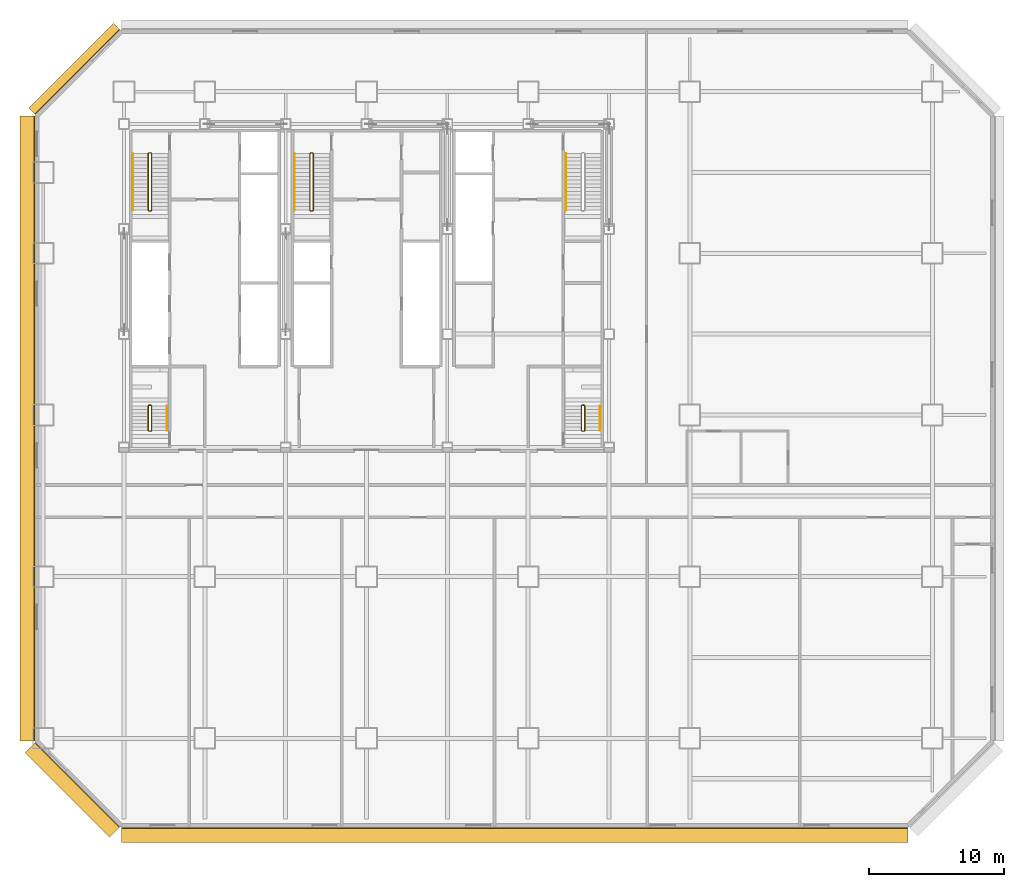
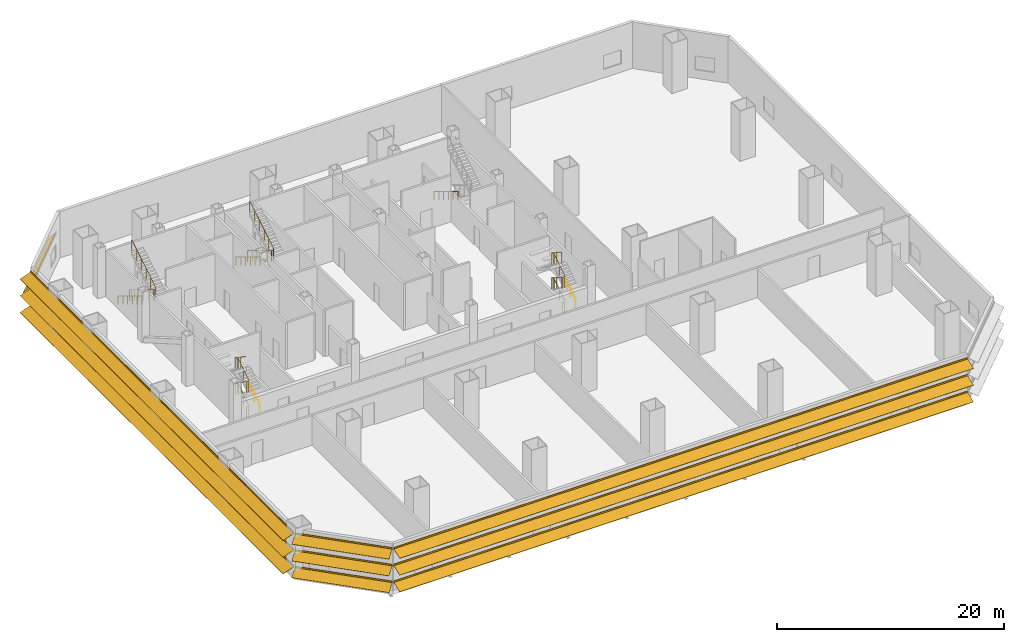
# One storey, part 9 of 10: 11 railings, 4 shading devices.
"""IFC4 building model written with IfcOpenShell, lengths in metres."""

from ifc_helpers import new_model, si_unit, direction, frame, origin, origin_2d, place, context, subcontext, project, spatial, polyline, circle, outline, composite_profile, extrude, material, type_object, element, save


model = new_model("IFC4")

# Units and contexts
model_context = context("Model", 3, precision=1e-05, world=origin(), true_north=direction((0.0, 1.0)))
body_context = subcontext(model_context, "Body", "Model", "MODEL_VIEW")
ifc_project = project(units=[si_unit("LENGTHUNIT", "METRE"), si_unit("AREAUNIT", "SQUARE_METRE"), si_unit("VOLUMEUNIT", "CUBIC_METRE"), si_unit("PLANEANGLEUNIT", "RADIAN"), si_unit("MASSUNIT", "GRAM", prefix="KILO")], contexts=[model_context])

# Site, building, storey
site_placement = place(None, origin())
site = spatial("IfcSite", under=ifc_project, at=site_placement, CompositionType="ELEMENT")
building_placement = place(site_placement, origin())
building = spatial("IfcBuilding", under=site, at=building_placement, Name="Sorahane Residences", CompositionType="ELEMENT")
storey_placement = place(building_placement, frame((0.0, 0.0, 15.0)))
storey = spatial("IfcBuildingStorey", under=building, at=storey_placement, Name="L01", CompositionType="ELEMENT", Elevation=15.0)

# Shading devices
ifc_material_1 = material(Name="Terracotta anodised aluminium", Category="masonry")
shading_device_type_1 = type_object("IfcShadingDeviceType", Name="Louvre sunshade blade NW terracotta aluminium 700", PredefinedType="JALOUSIE", material=ifc_material_1)
shading_device_1_placement = place(storey_placement, frame((5.716064453125, 52.564697265625, 2.699951171875), z_axis=(-0.707106781187, -0.707106781187, 0.0), x_axis=(0.707106781187, -0.707106781187, 0.0)))
element("IfcShadingDevice", 1, at=shading_device_1_placement, inside=storey, type_object=shading_device_type_1, Name="Louvre sunshade blade bank NW L01 NW1", PredefinedType="JALOUSIE", context=body_context, shape_type="SweptSolid", body=[
    extrude(outline(polyline([(-0.719970703125, -0.660888671875), (-0.719970703125, -0.69091796875), (-0.080078125, -0.072998046875), (-0.080078125, -0.14990234375), (-0.02001953125, -0.14990234375), (-0.02001953125, -0.014892578125), (-0.02001953125, 0.014892578125), (-0.02001953125, 0.14990234375), (-0.080078125, 0.14990234375), (-0.080078125, -0.04296875), (-0.719970703125, -0.660888671875)])), origin(), (0.0, 0.0, 1.0), 8.88232421875),
])
ifc_material_2 = material(Name="Terracotta anodised aluminium", Category="masonry")
shading_device_type_2 = type_object("IfcShadingDeviceType", Name="Louvre sunshade blade S terracotta aluminium 1100", PredefinedType="JALOUSIE", material=ifc_material_2)
shading_device_2_placement = place(storey_placement, frame((5.801513671875, -6.60009765625, 0.89990234375), z_axis=(1.0, 0.0, 0.0), x_axis=(0.0, 1.0, 0.0)))
element("IfcShadingDevice", 2, at=shading_device_2_placement, inside=storey, type_object=shading_device_type_2, Name="Louvre sunshade blade bank S L01 S1", PredefinedType="JALOUSIE", context=body_context, shape_type="SweptSolid", body=[
    extrude(composite_profile([outline(polyline([(-1.1201171875, -0.385498046875), (-1.1201171875, -0.415283203125), (-0.080078125, -0.036865234375), (-0.080078125, -0.14990234375), (-0.02001953125, -0.14990234375), (-0.02001953125, -0.014892578125), (-0.02001953125, 0.014892578125), (-0.02001953125, 0.14990234375), (-0.080078125, 0.14990234375), (-0.080078125, -0.0068359375), (-1.1201171875, -0.385498046875)])), outline(polyline([(-1.1201171875, 1.41455078125), (-1.1201171875, 1.384521484375), (-0.080078125, 1.76318359375), (-0.080078125, 1.64990234375), (-0.02001953125, 1.64990234375), (-0.02001953125, 1.784912109375), (-0.02001953125, 1.81494140625), (-0.02001953125, 1.949951171875), (-0.080078125, 1.949951171875), (-0.080078125, 1.793212890625), (-1.1201171875, 1.41455078125)])), outline(polyline([(-1.1201171875, 3.214599609375), (-1.1201171875, 3.1845703125), (-0.080078125, 3.563232421875), (-0.080078125, 3.449951171875), (-0.02001953125, 3.449951171875), (-0.02001953125, 3.5849609375), (-0.02001953125, 3.614990234375), (-0.02001953125, 3.75), (-0.080078125, 3.75), (-0.080078125, 3.59326171875), (-1.1201171875, 3.214599609375)]))]), origin(), (0.0, 0.0, 1.0), 58.39697265625),
])
ifc_material_3 = material(Name="Terracotta anodised aluminium", Category="masonry")
shading_device_type_3 = type_object("IfcShadingDeviceType", Name="Louvre sunshade blade SW terracotta aluminium 1100", PredefinedType="JALOUSIE", material=ifc_material_3)
shading_device_3_placement = place(storey_placement, frame((-0.564697265625, -0.283935546875, 0.89990234375), z_axis=(0.707106781187, -0.707106781187, 0.0), x_axis=(0.707106781187, 0.707106781187, 0.0)))
element("IfcShadingDevice", 3, at=shading_device_3_placement, inside=storey, type_object=shading_device_type_3, Name="Louvre sunshade blade bank SW L01 SW1", PredefinedType="JALOUSIE", context=body_context, shape_type="SweptSolid", body=[
    extrude(composite_profile([outline(polyline([(-1.1201171875, -0.385498046875), (-1.1201171875, -0.415283203125), (-0.080078125, -0.036865234375), (-0.080078125, -0.14990234375), (-0.02001953125, -0.14990234375), (-0.02001953125, -0.014892578125), (-0.02001953125, 0.014892578125), (-0.02001953125, 0.14990234375), (-0.080078125, 0.14990234375), (-0.080078125, -0.0068359375), (-1.1201171875, -0.385498046875)])), outline(polyline([(-1.1201171875, 1.41455078125), (-1.1201171875, 1.384521484375), (-0.080078125, 1.76318359375), (-0.080078125, 1.64990234375), (-0.02001953125, 1.64990234375), (-0.02001953125, 1.784912109375), (-0.02001953125, 1.81494140625), (-0.02001953125, 1.949951171875), (-0.080078125, 1.949951171875), (-0.080078125, 1.793212890625), (-1.1201171875, 1.41455078125)])), outline(polyline([(-1.1201171875, 3.214599609375), (-1.1201171875, 3.1845703125), (-0.080078125, 3.563232421875), (-0.080078125, 3.449951171875), (-0.02001953125, 3.449951171875), (-0.02001953125, 3.5849609375), (-0.02001953125, 3.614990234375), (-0.02001953125, 3.75), (-0.080078125, 3.75), (-0.080078125, 3.59326171875), (-1.1201171875, 3.214599609375)]))]), origin(), (0.0, 0.0, 1.0), 8.88232421875),
])
ifc_material_4 = material(Name="Terracotta anodised aluminium", Category="masonry")
shading_device_type_4 = type_object("IfcShadingDeviceType", Name="Louvre sunshade blade W terracotta aluminium 1100", PredefinedType="JALOUSIE", material=ifc_material_4)
shading_device_4_placement = place(storey_placement, frame((-0.60009765625, 46.198486328125, 0.89990234375), z_axis=(0.0, -1.0, 0.0), x_axis=(1.0, 0.0, 0.0)))
element("IfcShadingDevice", 4, at=shading_device_4_placement, inside=storey, type_object=shading_device_type_4, Name="Louvre sunshade blade bank W L01 W1", PredefinedType="JALOUSIE", context=body_context, shape_type="SweptSolid", body=[
    extrude(composite_profile([outline(polyline([(-1.1201171875, -0.385498046875), (-1.1201171875, -0.415283203125), (-0.080078125, -0.036865234375), (-0.080078125, -0.14990234375), (-0.02001953125, -0.14990234375), (-0.02001953125, -0.014892578125), (-0.02001953125, 0.014892578125), (-0.02001953125, 0.14990234375), (-0.080078125, 0.14990234375), (-0.080078125, -0.0068359375), (-1.1201171875, -0.385498046875)])), outline(polyline([(-1.1201171875, 1.41455078125), (-1.1201171875, 1.384521484375), (-0.080078125, 1.76318359375), (-0.080078125, 1.64990234375), (-0.02001953125, 1.64990234375), (-0.02001953125, 1.784912109375), (-0.02001953125, 1.81494140625), (-0.02001953125, 1.949951171875), (-0.080078125, 1.949951171875), (-0.080078125, 1.793212890625), (-1.1201171875, 1.41455078125)])), outline(polyline([(-1.1201171875, 3.214599609375), (-1.1201171875, 3.1845703125), (-0.080078125, 3.563232421875), (-0.080078125, 3.449951171875), (-0.02001953125, 3.449951171875), (-0.02001953125, 3.5849609375), (-0.02001953125, 3.614990234375), (-0.02001953125, 3.75), (-0.080078125, 3.75), (-0.080078125, 3.59326171875), (-1.1201171875, 3.214599609375)]))]), origin(), (0.0, 0.0, 1.0), 46.39697265625),
])

# Railings
ifc_material_5 = material(Name="Steel Q355B", Category="steel")
railing_type_1 = type_object("IfcRailingType", Name="Stair guard 1200 Steel Q355B", PredefinedType="GUARDRAIL", material=ifc_material_5)
railing_1_placement = place(storey_placement, frame((8.0, 43.449951171875, 0.0)))
element("IfcRailing", 5, at=railing_1_placement, inside=storey, type_object=railing_type_1, Name="L01 S1 stair guard 1", PredefinedType="GUARDRAIL", context=body_context, shape_type="SweptSolid", body=[
    extrude(circle(Radius=0.02392578125, at=origin_2d()), frame((0.0, 0.0, 1.17578125), z_axis=(-1.0, 0.0, 0.0), x_axis=(0.0, -1.0, 0.0)), (0.0, 0.0, 1.0), 0.14990234375),
    extrude(circle(Radius=0.02392578125, at=origin_2d()), frame((-0.14990234375, 0.0, 1.17578125), z_axis=(-0.273569069059, -0.273569069059, 0.922127935218), x_axis=(0.707106781187, -0.707106781187, 0.0)), (0.0, 0.0, 1.0), 0.182861328125),
    extrude(circle(Radius=0.02392578125, at=origin_2d()), frame((-0.199951171875, -0.050048828125, 1.3447265625), z_axis=(0.0, -0.856476492594, 0.516186030065), x_axis=(1.0, 0.0, 0.0)), (0.0, 0.0, 1.0), 4.90380859375),
    extrude(circle(Radius=0.02392578125, at=origin_2d()), frame((-0.199951171875, -4.25, 3.8759765625), z_axis=(0.707106781187, -0.707106781187, 0.0), x_axis=(0.707106781187, 0.707106781187, 0.0)), (0.0, 0.0, 1.0), 0.07080078125),
    extrude(circle(Radius=0.02392578125, at=origin_2d()), frame((-0.14990234375, -4.300048828125, 3.8759765625), z_axis=(1.0, 0.0, 0.0), x_axis=(0.0, 1.0, 0.0)), (0.0, 0.0, 1.0), 0.14990234375),
    extrude(circle(Radius=0.02392578125, at=origin_2d()), frame((0.0, -4.300048828125, 3.8759765625), z_axis=(0.273569069059, 0.273569069059, 0.922127935218), x_axis=(-0.707106781187, 0.707106781187, 0.0)), (0.0, 0.0, 1.0), 0.182861328125),
    extrude(circle(Radius=0.02392578125, at=origin_2d()), frame((0.050048828125, -4.25, 4.04443359375), z_axis=(0.0, 0.856476492594, 0.516186030065), x_axis=(-1.0, 0.0, 0.0)), (0.0, 0.0, 1.0), 4.90380859375),
    extrude(circle(Radius=0.02099609375, at=origin_2d()), origin(), (0.0, 0.0, 1.0), 1.15185546875),
    extrude(circle(Radius=0.02099609375, at=origin_2d()), frame((-0.14990234375, 0.0, 0.0)), (0.0, 0.0, 1.0), 1.15185546875),
    extrude(circle(Radius=0.02099609375, at=origin_2d()), frame((-0.199951171875, -0.050048828125, 0.168701171875)), (0.0, 0.0, 1.0), 1.15185546875),
    extrude(circle(Radius=0.02099609375, at=origin_2d()), frame((-0.199951171875, -0.89013671875, 0.675048828125)), (0.0, 0.0, 1.0), 1.15185546875),
    extrude(circle(Radius=0.02099609375, at=origin_2d()), frame((-0.199951171875, -1.72998046875, 1.18115234375)), (0.0, 0.0, 1.0), 1.15185546875),
    extrude(circle(Radius=0.02099609375, at=origin_2d()), frame((-0.199951171875, -2.570068359375, 1.6875)), (0.0, 0.0, 1.0), 1.15185546875),
    extrude(circle(Radius=0.02099609375, at=origin_2d()), frame((-0.199951171875, -3.409912109375, 2.193603515625)), (0.0, 0.0, 1.0), 1.15185546875),
    extrude(circle(Radius=0.02099609375, at=origin_2d()), frame((-0.199951171875, -4.25, 2.699951171875)), (0.0, 0.0, 1.0), 1.15185546875),
    extrude(circle(Radius=0.02099609375, at=origin_2d()), frame((-0.14990234375, -4.300048828125, 2.699951171875)), (0.0, 0.0, 1.0), 1.15185546875),
    extrude(circle(Radius=0.02099609375, at=origin_2d()), frame((0.0, -4.300048828125, 2.699951171875)), (0.0, 0.0, 1.0), 1.15185546875),
    extrude(circle(Radius=0.02099609375, at=origin_2d()), frame((0.050048828125, -4.25, 2.86865234375)), (0.0, 0.0, 1.0), 1.15185546875),
    extrude(circle(Radius=0.02099609375, at=origin_2d()), frame((0.050048828125, -3.409912109375, 3.375)), (0.0, 0.0, 1.0), 1.15185546875),
    extrude(circle(Radius=0.02099609375, at=origin_2d()), frame((0.050048828125, -2.570068359375, 3.881103515625)), (0.0, 0.0, 1.0), 1.15185546875),
    extrude(circle(Radius=0.02099609375, at=origin_2d()), frame((0.050048828125, -1.72998046875, 4.387451171875)), (0.0, 0.0, 1.0), 1.15185546875),
    extrude(circle(Radius=0.02099609375, at=origin_2d()), frame((0.050048828125, -0.89013671875, 4.8935546875)), (0.0, 0.0, 1.0), 1.15185546875),
    extrude(circle(Radius=0.02099609375, at=origin_2d()), frame((0.050048828125, -0.050048828125, 5.39990234375)), (0.0, 0.0, 1.0), 1.15185546875),
])
railing_2_placement = place(storey_placement, frame((20.0, 43.449951171875, 0.0)))
element("IfcRailing", 6, at=railing_2_placement, inside=storey, type_object=railing_type_1, Name="L01 S3 stair guard 1", PredefinedType="GUARDRAIL", context=body_context, shape_type="SweptSolid", body=[
    extrude(circle(Radius=0.02392578125, at=origin_2d()), frame((0.0, 0.0, 1.17578125), z_axis=(-1.0, 0.0, 0.0), x_axis=(0.0, -1.0, 0.0)), (0.0, 0.0, 1.0), 0.14990234375),
    extrude(circle(Radius=0.02392578125, at=origin_2d()), frame((-0.14990234375, 0.0, 1.17578125), z_axis=(-0.273569069059, -0.273569069059, 0.922127935218), x_axis=(0.707106781187, -0.707106781187, 0.0)), (0.0, 0.0, 1.0), 0.182861328125),
    extrude(circle(Radius=0.02392578125, at=origin_2d()), frame((-0.199951171875, -0.050048828125, 1.3447265625), z_axis=(0.0, -0.856476492594, 0.516186030065), x_axis=(1.0, 0.0, 0.0)), (0.0, 0.0, 1.0), 4.90380859375),
    extrude(circle(Radius=0.02392578125, at=origin_2d()), frame((-0.199951171875, -4.25, 3.8759765625), z_axis=(0.707106781187, -0.707106781187, 0.0), x_axis=(0.707106781187, 0.707106781187, 0.0)), (0.0, 0.0, 1.0), 0.07080078125),
    extrude(circle(Radius=0.02392578125, at=origin_2d()), frame((-0.14990234375, -4.300048828125, 3.8759765625), z_axis=(1.0, 0.0, 0.0), x_axis=(0.0, 1.0, 0.0)), (0.0, 0.0, 1.0), 0.14990234375),
    extrude(circle(Radius=0.02392578125, at=origin_2d()), frame((0.0, -4.300048828125, 3.8759765625), z_axis=(0.273569069059, 0.273569069059, 0.922127935218), x_axis=(-0.707106781187, 0.707106781187, 0.0)), (0.0, 0.0, 1.0), 0.182861328125),
    extrude(circle(Radius=0.02392578125, at=origin_2d()), frame((0.050048828125, -4.25, 4.04443359375), z_axis=(0.0, 0.856476492594, 0.516186030065), x_axis=(-1.0, 0.0, 0.0)), (0.0, 0.0, 1.0), 4.90380859375),
    extrude(circle(Radius=0.02099609375, at=origin_2d()), origin(), (0.0, 0.0, 1.0), 1.15185546875),
    extrude(circle(Radius=0.02099609375, at=origin_2d()), frame((-0.14990234375, 0.0, 0.0)), (0.0, 0.0, 1.0), 1.15185546875),
    extrude(circle(Radius=0.02099609375, at=origin_2d()), frame((-0.199951171875, -0.050048828125, 0.168701171875)), (0.0, 0.0, 1.0), 1.15185546875),
    extrude(circle(Radius=0.02099609375, at=origin_2d()), frame((-0.199951171875, -0.89013671875, 0.675048828125)), (0.0, 0.0, 1.0), 1.15185546875),
    extrude(circle(Radius=0.02099609375, at=origin_2d()), frame((-0.199951171875, -1.72998046875, 1.18115234375)), (0.0, 0.0, 1.0), 1.15185546875),
    extrude(circle(Radius=0.02099609375, at=origin_2d()), frame((-0.199951171875, -2.570068359375, 1.6875)), (0.0, 0.0, 1.0), 1.15185546875),
    extrude(circle(Radius=0.02099609375, at=origin_2d()), frame((-0.199951171875, -3.409912109375, 2.193603515625)), (0.0, 0.0, 1.0), 1.15185546875),
    extrude(circle(Radius=0.02099609375, at=origin_2d()), frame((-0.199951171875, -4.25, 2.699951171875)), (0.0, 0.0, 1.0), 1.15185546875),
    extrude(circle(Radius=0.02099609375, at=origin_2d()), frame((-0.14990234375, -4.300048828125, 2.699951171875)), (0.0, 0.0, 1.0), 1.15185546875),
    extrude(circle(Radius=0.02099609375, at=origin_2d()), frame((0.0, -4.300048828125, 2.699951171875)), (0.0, 0.0, 1.0), 1.15185546875),
    extrude(circle(Radius=0.02099609375, at=origin_2d()), frame((0.050048828125, -4.25, 2.86865234375)), (0.0, 0.0, 1.0), 1.15185546875),
    extrude(circle(Radius=0.02099609375, at=origin_2d()), frame((0.050048828125, -3.409912109375, 3.375)), (0.0, 0.0, 1.0), 1.15185546875),
    extrude(circle(Radius=0.02099609375, at=origin_2d()), frame((0.050048828125, -2.570068359375, 3.881103515625)), (0.0, 0.0, 1.0), 1.15185546875),
    extrude(circle(Radius=0.02099609375, at=origin_2d()), frame((0.050048828125, -1.72998046875, 4.387451171875)), (0.0, 0.0, 1.0), 1.15185546875),
    extrude(circle(Radius=0.02099609375, at=origin_2d()), frame((0.050048828125, -0.89013671875, 4.8935546875)), (0.0, 0.0, 1.0), 1.15185546875),
    extrude(circle(Radius=0.02099609375, at=origin_2d()), frame((0.050048828125, -0.050048828125, 5.39990234375)), (0.0, 0.0, 1.0), 1.15185546875),
])
railing_3_placement = place(storey_placement, frame((7.85009765625, 22.800048828125, 0.0)))
element("IfcRailing", 7, at=railing_3_placement, inside=storey, type_object=railing_type_1, Name="L01 S4 stair guard 1", PredefinedType="GUARDRAIL", context=body_context, shape_type="SweptSolid", body=[
    extrude(circle(Radius=0.02392578125, at=origin_2d()), frame((0.0, 0.0, 1.17578125), z_axis=(1.0, 0.0, 0.0), x_axis=(0.0, 1.0, 0.0)), (0.0, 0.0, 1.0), 0.14990234375),
    extrude(circle(Radius=0.02392578125, at=origin_2d()), frame((0.14990234375, 0.0, 1.17578125), z_axis=(0.273569069059, 0.273569069059, 0.922127935218), x_axis=(-0.707106781187, 0.707106781187, 0.0)), (0.0, 0.0, 1.0), 0.182861328125),
    extrude(circle(Radius=0.02392578125, at=origin_2d()), frame((0.199951171875, 0.050048828125, 1.3447265625), z_axis=(0.0, 0.838757122003, 0.544505730262), x_axis=(-1.0, 0.0, 0.0)), (0.0, 0.0, 1.0), 2.169677734375),
    extrude(circle(Radius=0.02392578125, at=origin_2d()), frame((0.199951171875, 1.869873046875, 2.52587890625), z_axis=(-0.707106781187, 0.707106781187, 0.0), x_axis=(-0.707106781187, -0.707106781187, 0.0)), (0.0, 0.0, 1.0), 0.07080078125),
    extrude(circle(Radius=0.02392578125, at=origin_2d()), frame((0.14990234375, 1.919921875, 2.52587890625), z_axis=(-1.0, 0.0, 0.0), x_axis=(0.0, -1.0, 0.0)), (0.0, 0.0, 1.0), 0.14990234375),
    extrude(circle(Radius=0.02392578125, at=origin_2d()), frame((0.0, 1.919921875, 2.52587890625), z_axis=(-0.273569069059, -0.273569069059, 0.922127935218), x_axis=(0.707106781187, -0.707106781187, 0.0)), (0.0, 0.0, 1.0), 0.182861328125),
    extrude(circle(Radius=0.02392578125, at=origin_2d()), frame((-0.050048828125, 1.869873046875, 2.69482421875), z_axis=(0.0, -0.838808512231, 0.544426560528), x_axis=(1.0, 0.0, 0.0)), (0.0, 0.0, 1.0), 2.16943359375),
    extrude(circle(Radius=0.02099609375, at=origin_2d()), origin(), (0.0, 0.0, 1.0), 1.15185546875),
    extrude(circle(Radius=0.02099609375, at=origin_2d()), frame((0.14990234375, 0.0, 0.0)), (0.0, 0.0, 1.0), 1.15185546875),
    extrude(circle(Radius=0.02099609375, at=origin_2d()), frame((0.199951171875, 0.050048828125, 0.168701171875)), (0.0, 0.0, 1.0), 1.15185546875),
    extrude(circle(Radius=0.02099609375, at=origin_2d()), frame((0.199951171875, 0.9599609375, 0.75927734375)), (0.0, 0.0, 1.0), 1.15185546875),
    extrude(circle(Radius=0.02099609375, at=origin_2d()), frame((0.199951171875, 1.869873046875, 1.35009765625)), (0.0, 0.0, 1.0), 1.15185546875),
    extrude(circle(Radius=0.02099609375, at=origin_2d()), frame((0.14990234375, 1.919921875, 1.35009765625)), (0.0, 0.0, 1.0), 1.15185546875),
    extrude(circle(Radius=0.02099609375, at=origin_2d()), frame((0.0, 1.919921875, 1.35009765625)), (0.0, 0.0, 1.0), 1.15185546875),
    extrude(circle(Radius=0.02099609375, at=origin_2d()), frame((-0.050048828125, 1.869873046875, 1.518798828125)), (0.0, 0.0, 1.0), 1.15185546875),
    extrude(circle(Radius=0.02099609375, at=origin_2d()), frame((-0.050048828125, 0.9599609375, 2.109375)), (0.0, 0.0, 1.0), 1.15185546875),
    extrude(circle(Radius=0.02099609375, at=origin_2d()), frame((-0.050048828125, 0.050048828125, 2.699951171875)), (0.0, 0.0, 1.0), 1.15185546875),
])
railing_4_placement = place(storey_placement, frame((7.85009765625, 22.800048828125, 2.699951171875)))
element("IfcRailing", 8, at=railing_4_placement, inside=storey, type_object=railing_type_1, Name="L01 S4 stair guard 2", PredefinedType="GUARDRAIL", context=body_context, shape_type="SweptSolid", body=[
    extrude(circle(Radius=0.02392578125, at=origin_2d()), frame((0.0, 0.0, 1.17578125), z_axis=(1.0, 0.0, 0.0), x_axis=(0.0, 1.0, 0.0)), (0.0, 0.0, 1.0), 0.14990234375),
    extrude(circle(Radius=0.02392578125, at=origin_2d()), frame((0.14990234375, 0.0, 1.17578125), z_axis=(0.273569069059, 0.273569069059, 0.922127935218), x_axis=(-0.707106781187, 0.707106781187, 0.0)), (0.0, 0.0, 1.0), 0.182861328125),
    extrude(circle(Radius=0.02392578125, at=origin_2d()), frame((0.199951171875, 0.050048828125, 1.3447265625), z_axis=(0.0, 0.838757122003, 0.544505730262), x_axis=(-1.0, 0.0, 0.0)), (0.0, 0.0, 1.0), 2.169677734375),
    extrude(circle(Radius=0.02392578125, at=origin_2d()), frame((0.199951171875, 1.869873046875, 2.52587890625), z_axis=(-0.707106781187, 0.707106781187, 0.0), x_axis=(-0.707106781187, -0.707106781187, 0.0)), (0.0, 0.0, 1.0), 0.07080078125),
    extrude(circle(Radius=0.02392578125, at=origin_2d()), frame((0.14990234375, 1.919921875, 2.52587890625), z_axis=(-1.0, 0.0, 0.0), x_axis=(0.0, -1.0, 0.0)), (0.0, 0.0, 1.0), 0.14990234375),
    extrude(circle(Radius=0.02392578125, at=origin_2d()), frame((0.0, 1.919921875, 2.52587890625), z_axis=(-0.273569069059, -0.273569069059, 0.922127935218), x_axis=(0.707106781187, -0.707106781187, 0.0)), (0.0, 0.0, 1.0), 0.182861328125),
    extrude(circle(Radius=0.02392578125, at=origin_2d()), frame((-0.050048828125, 1.869873046875, 2.69482421875), z_axis=(0.0, -0.838808512231, 0.544426560528), x_axis=(1.0, 0.0, 0.0)), (0.0, 0.0, 1.0), 2.16943359375),
    extrude(circle(Radius=0.02099609375, at=origin_2d()), origin(), (0.0, 0.0, 1.0), 1.15185546875),
    extrude(circle(Radius=0.02099609375, at=origin_2d()), frame((0.14990234375, 0.0, 0.0)), (0.0, 0.0, 1.0), 1.15185546875),
    extrude(circle(Radius=0.02099609375, at=origin_2d()), frame((0.199951171875, 0.050048828125, 0.168701171875)), (0.0, 0.0, 1.0), 1.15185546875),
    extrude(circle(Radius=0.02099609375, at=origin_2d()), frame((0.199951171875, 0.9599609375, 0.75927734375)), (0.0, 0.0, 1.0), 1.15185546875),
    extrude(circle(Radius=0.02099609375, at=origin_2d()), frame((0.199951171875, 1.869873046875, 1.35009765625)), (0.0, 0.0, 1.0), 1.15185546875),
    extrude(circle(Radius=0.02099609375, at=origin_2d()), frame((0.14990234375, 1.919921875, 1.35009765625)), (0.0, 0.0, 1.0), 1.15185546875),
    extrude(circle(Radius=0.02099609375, at=origin_2d()), frame((0.0, 1.919921875, 1.35009765625)), (0.0, 0.0, 1.0), 1.15185546875),
    extrude(circle(Radius=0.02099609375, at=origin_2d()), frame((-0.050048828125, 1.869873046875, 1.518798828125)), (0.0, 0.0, 1.0), 1.15185546875),
    extrude(circle(Radius=0.02099609375, at=origin_2d()), frame((-0.050048828125, 0.9599609375, 2.109375)), (0.0, 0.0, 1.0), 1.15185546875),
    extrude(circle(Radius=0.02099609375, at=origin_2d()), frame((-0.050048828125, 0.050048828125, 2.699951171875)), (0.0, 0.0, 1.0), 1.15185546875),
])
railing_5_placement = place(storey_placement, frame((40.0, 22.800048828125, 0.0)))
element("IfcRailing", 9, at=railing_5_placement, inside=storey, type_object=railing_type_1, Name="L01 S5 stair guard 1", PredefinedType="GUARDRAIL", context=body_context, shape_type="SweptSolid", body=[
    extrude(circle(Radius=0.02392578125, at=origin_2d()), frame((0.0, 0.0, 1.17578125), z_axis=(1.0, 0.0, 0.0), x_axis=(0.0, 1.0, 0.0)), (0.0, 0.0, 1.0), 0.14990234375),
    extrude(circle(Radius=0.02392578125, at=origin_2d()), frame((0.14990234375, 0.0, 1.17578125), z_axis=(0.273569069059, 0.273569069059, 0.922127935218), x_axis=(-0.707106781187, 0.707106781187, 0.0)), (0.0, 0.0, 1.0), 0.182861328125),
    extrude(circle(Radius=0.02392578125, at=origin_2d()), frame((0.199951171875, 0.050048828125, 1.3447265625), z_axis=(0.0, 0.838757122003, 0.544505730262), x_axis=(-1.0, 0.0, 0.0)), (0.0, 0.0, 1.0), 2.169677734375),
    extrude(circle(Radius=0.02392578125, at=origin_2d()), frame((0.199951171875, 1.869873046875, 2.52587890625), z_axis=(-0.707106781187, 0.707106781187, 0.0), x_axis=(-0.707106781187, -0.707106781187, 0.0)), (0.0, 0.0, 1.0), 0.07080078125),
    extrude(circle(Radius=0.02392578125, at=origin_2d()), frame((0.14990234375, 1.919921875, 2.52587890625), z_axis=(-1.0, 0.0, 0.0), x_axis=(0.0, -1.0, 0.0)), (0.0, 0.0, 1.0), 0.14990234375),
    extrude(circle(Radius=0.02392578125, at=origin_2d()), frame((0.0, 1.919921875, 2.52587890625), z_axis=(-0.273569069059, -0.273569069059, 0.922127935218), x_axis=(0.707106781187, -0.707106781187, 0.0)), (0.0, 0.0, 1.0), 0.182861328125),
    extrude(circle(Radius=0.02392578125, at=origin_2d()), frame((-0.050048828125, 1.869873046875, 2.69482421875), z_axis=(0.0, -0.838808512231, 0.544426560528), x_axis=(1.0, 0.0, 0.0)), (0.0, 0.0, 1.0), 2.16943359375),
    extrude(circle(Radius=0.02099609375, at=origin_2d()), origin(), (0.0, 0.0, 1.0), 1.15185546875),
    extrude(circle(Radius=0.02099609375, at=origin_2d()), frame((0.14990234375, 0.0, 0.0)), (0.0, 0.0, 1.0), 1.15185546875),
    extrude(circle(Radius=0.02099609375, at=origin_2d()), frame((0.199951171875, 0.050048828125, 0.168701171875)), (0.0, 0.0, 1.0), 1.15185546875),
    extrude(circle(Radius=0.02099609375, at=origin_2d()), frame((0.199951171875, 0.9599609375, 0.75927734375)), (0.0, 0.0, 1.0), 1.15185546875),
    extrude(circle(Radius=0.02099609375, at=origin_2d()), frame((0.199951171875, 1.869873046875, 1.35009765625)), (0.0, 0.0, 1.0), 1.15185546875),
    extrude(circle(Radius=0.02099609375, at=origin_2d()), frame((0.14990234375, 1.919921875, 1.35009765625)), (0.0, 0.0, 1.0), 1.15185546875),
    extrude(circle(Radius=0.02099609375, at=origin_2d()), frame((0.0, 1.919921875, 1.35009765625)), (0.0, 0.0, 1.0), 1.15185546875),
    extrude(circle(Radius=0.02099609375, at=origin_2d()), frame((-0.050048828125, 1.869873046875, 1.518798828125)), (0.0, 0.0, 1.0), 1.15185546875),
    extrude(circle(Radius=0.02099609375, at=origin_2d()), frame((-0.050048828125, 0.9599609375, 2.109375)), (0.0, 0.0, 1.0), 1.15185546875),
    extrude(circle(Radius=0.02099609375, at=origin_2d()), frame((-0.050048828125, 0.050048828125, 2.699951171875)), (0.0, 0.0, 1.0), 1.15185546875),
])
railing_6_placement = place(storey_placement, frame((40.0, 22.800048828125, 2.699951171875)))
element("IfcRailing", 10, at=railing_6_placement, inside=storey, type_object=railing_type_1, Name="L01 S5 stair guard 2", PredefinedType="GUARDRAIL", context=body_context, shape_type="SweptSolid", body=[
    extrude(circle(Radius=0.02392578125, at=origin_2d()), frame((0.0, 0.0, 1.17578125), z_axis=(1.0, 0.0, 0.0), x_axis=(0.0, 1.0, 0.0)), (0.0, 0.0, 1.0), 0.14990234375),
    extrude(circle(Radius=0.02392578125, at=origin_2d()), frame((0.14990234375, 0.0, 1.17578125), z_axis=(0.273569069059, 0.273569069059, 0.922127935218), x_axis=(-0.707106781187, 0.707106781187, 0.0)), (0.0, 0.0, 1.0), 0.182861328125),
    extrude(circle(Radius=0.02392578125, at=origin_2d()), frame((0.199951171875, 0.050048828125, 1.3447265625), z_axis=(0.0, 0.838757122003, 0.544505730262), x_axis=(-1.0, 0.0, 0.0)), (0.0, 0.0, 1.0), 2.169677734375),
    extrude(circle(Radius=0.02392578125, at=origin_2d()), frame((0.199951171875, 1.869873046875, 2.52587890625), z_axis=(-0.707106781187, 0.707106781187, 0.0), x_axis=(-0.707106781187, -0.707106781187, 0.0)), (0.0, 0.0, 1.0), 0.07080078125),
    extrude(circle(Radius=0.02392578125, at=origin_2d()), frame((0.14990234375, 1.919921875, 2.52587890625), z_axis=(-1.0, 0.0, 0.0), x_axis=(0.0, -1.0, 0.0)), (0.0, 0.0, 1.0), 0.14990234375),
    extrude(circle(Radius=0.02392578125, at=origin_2d()), frame((0.0, 1.919921875, 2.52587890625), z_axis=(-0.273569069059, -0.273569069059, 0.922127935218), x_axis=(0.707106781187, -0.707106781187, 0.0)), (0.0, 0.0, 1.0), 0.182861328125),
    extrude(circle(Radius=0.02392578125, at=origin_2d()), frame((-0.050048828125, 1.869873046875, 2.69482421875), z_axis=(0.0, -0.838808512231, 0.544426560528), x_axis=(1.0, 0.0, 0.0)), (0.0, 0.0, 1.0), 2.16943359375),
    extrude(circle(Radius=0.02099609375, at=origin_2d()), origin(), (0.0, 0.0, 1.0), 1.15185546875),
    extrude(circle(Radius=0.02099609375, at=origin_2d()), frame((0.14990234375, 0.0, 0.0)), (0.0, 0.0, 1.0), 1.15185546875),
    extrude(circle(Radius=0.02099609375, at=origin_2d()), frame((0.199951171875, 0.050048828125, 0.168701171875)), (0.0, 0.0, 1.0), 1.15185546875),
    extrude(circle(Radius=0.02099609375, at=origin_2d()), frame((0.199951171875, 0.9599609375, 0.75927734375)), (0.0, 0.0, 1.0), 1.15185546875),
    extrude(circle(Radius=0.02099609375, at=origin_2d()), frame((0.199951171875, 1.869873046875, 1.35009765625)), (0.0, 0.0, 1.0), 1.15185546875),
    extrude(circle(Radius=0.02099609375, at=origin_2d()), frame((0.14990234375, 1.919921875, 1.35009765625)), (0.0, 0.0, 1.0), 1.15185546875),
    extrude(circle(Radius=0.02099609375, at=origin_2d()), frame((0.0, 1.919921875, 1.35009765625)), (0.0, 0.0, 1.0), 1.15185546875),
    extrude(circle(Radius=0.02099609375, at=origin_2d()), frame((-0.050048828125, 1.869873046875, 1.518798828125)), (0.0, 0.0, 1.0), 1.15185546875),
    extrude(circle(Radius=0.02099609375, at=origin_2d()), frame((-0.050048828125, 0.9599609375, 2.109375)), (0.0, 0.0, 1.0), 1.15185546875),
    extrude(circle(Radius=0.02099609375, at=origin_2d()), frame((-0.050048828125, 0.050048828125, 2.699951171875)), (0.0, 0.0, 1.0), 1.15185546875),
])
ifc_material_6 = material(Name="Steel Q355B", Category="steel")
railing_type_2 = type_object("IfcRailingType", Name="Stair handrail 900 Steel Q355B", PredefinedType="HANDRAIL", material=ifc_material_6)
for number, where, name in (
    (11, (6.64990234375, 43.39990234375, 0.168701171875), "L01 S1 stair handrail 1"),
    (12, (38.800048828125, 43.39990234375, 0.168701171875), "L01 S2 stair handrail 1"),
    (13, (18.64990234375, 43.39990234375, 0.168701171875), "L01 S3 stair handrail 1"),
):
    element("IfcRailing", number, at=place(storey_placement, frame(where)), inside=storey, type_object=railing_type_2, Name=name, PredefinedType="HANDRAIL", context=body_context, shape_type="SweptSolid", body=[
        extrude(circle(Radius=0.02392578125, at=origin_2d()), frame((0.0, 0.0, 0.8759765625), z_axis=(0.0, -0.856476492594, 0.516186030065), x_axis=(1.0, 0.0, 0.0)), (0.0, 0.0, 1.0), 4.90380859375),
        extrude(circle(Radius=0.02099609375, at=origin_2d()), origin(), (0.0, 0.0, 1.0), 0.851806640625),
        extrude(circle(Radius=0.02099609375, at=origin_2d()), frame((0.0, -0.840087890625, 0.50634765625)), (0.0, 0.0, 1.0), 0.851806640625),
        extrude(circle(Radius=0.02099609375, at=origin_2d()), frame((0.0, -1.679931640625, 1.012451171875)), (0.0, 0.0, 1.0), 0.851806640625),
        extrude(circle(Radius=0.02099609375, at=origin_2d()), frame((0.0, -2.52001953125, 1.518798828125)), (0.0, 0.0, 1.0), 0.851806640625),
        extrude(circle(Radius=0.02099609375, at=origin_2d()), frame((0.0, -3.35986328125, 2.02490234375)), (0.0, 0.0, 1.0), 0.851806640625),
        extrude(circle(Radius=0.02099609375, at=origin_2d()), frame((0.0, -4.199951171875, 2.53125)), (0.0, 0.0, 1.0), 0.851806640625),
    ])
for number, where, name in (
    (14, (9.199951171875, 22.85009765625, 0.168701171875), "L01 S4 stair handrail 1"),
    (15, (41.35009765625, 22.85009765625, 0.168701171875), "L01 S5 stair handrail 1"),
):
    element("IfcRailing", number, at=place(storey_placement, frame(where)), inside=storey, type_object=railing_type_2, Name=name, PredefinedType="HANDRAIL", context=body_context, shape_type="SweptSolid", body=[
        extrude(circle(Radius=0.02392578125, at=origin_2d()), frame((0.0, 0.0, 0.8759765625), z_axis=(0.0, 0.838757122003, 0.544505730262), x_axis=(-1.0, 0.0, 0.0)), (0.0, 0.0, 1.0), 2.169677734375),
        extrude(circle(Radius=0.02099609375, at=origin_2d()), origin(), (0.0, 0.0, 1.0), 0.851806640625),
        extrude(circle(Radius=0.02099609375, at=origin_2d()), frame((0.0, 0.909912109375, 0.5908203125)), (0.0, 0.0, 1.0), 0.851806640625),
        extrude(circle(Radius=0.02099609375, at=origin_2d()), frame((0.0, 1.81982421875, 1.181396484375)), (0.0, 0.0, 1.0), 0.851806640625),
    ])

save(model, "model.ifc")
